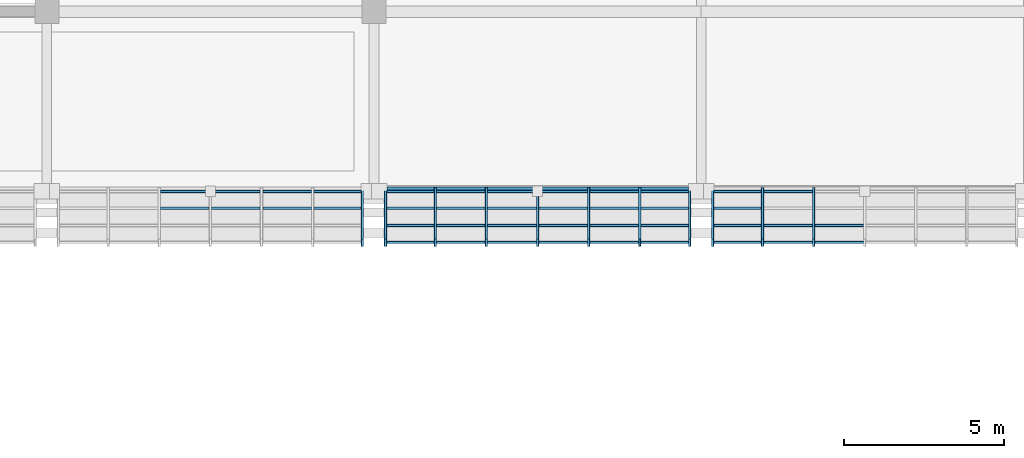
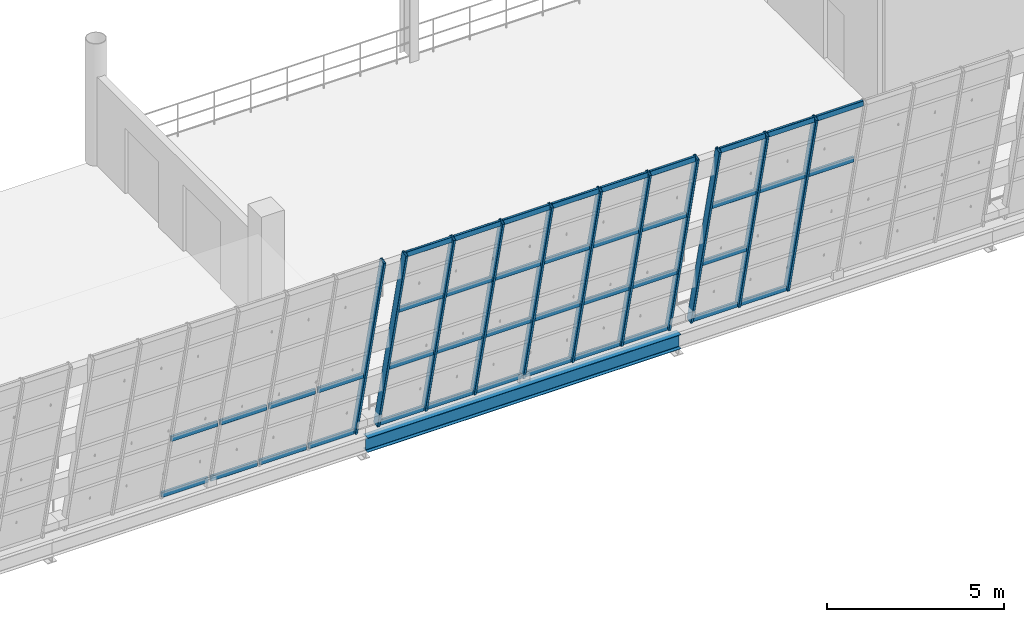
# One storey, part 30 of 157: 52 members, 1 beam, 3 elements without a shape of their own.
"""IFC4 building model written with IfcOpenShell, lengths in metres."""

from ifc_helpers import new_model, si_unit, direction, frame, origin, origin_2d, place, context, subcontext, project, spatial, hollow_rectangle, i_section, extrude, material, material_profile, profile_set, type_object, element, aggregate, save


model = new_model("IFC4")

# Units and contexts
model_context = context("Model", 3, precision=1e-05, world=origin(), true_north=direction((0.0, 1.0)))
body_context = subcontext(model_context, "Body", "Model", "MODEL_VIEW")
ifc_project = project(units=[si_unit("LENGTHUNIT", "METRE"), si_unit("AREAUNIT", "SQUARE_METRE"), si_unit("VOLUMEUNIT", "CUBIC_METRE"), si_unit("PLANEANGLEUNIT", "RADIAN"), si_unit("MASSUNIT", "GRAM", prefix="KILO")], contexts=[model_context])

# Site, building, storey
site_placement = place(None, origin())
site = spatial("IfcSite", under=ifc_project, at=site_placement, CompositionType="ELEMENT")
building_placement = place(site_placement, origin())
building = spatial("IfcBuilding", under=site, at=building_placement, Name="Brelvane Convention Centre", CompositionType="ELEMENT")
storey_placement = place(building_placement, frame((0.0, 0.0, 10.800048828125)))
storey = spatial("IfcBuildingStorey", under=building, at=storey_placement, Name="L02", CompositionType="ELEMENT", Elevation=10.800048828125)

# Curtain wall, member
ifc_material_1 = material(Name="Anodised Aluminium Alloy 6063-T6", Category="aluminium")
curtain_wall_type = type_object("IfcCurtainWallType", Name="Curtain Wall CW-HULL-S", PredefinedType="USERDEFINED", material=ifc_material_1)
curtain_wall_1_placement = place(storey_placement, origin())
curtain_wall_1 = element("IfcCurtainWall", 1, at=curtain_wall_1_placement, inside=storey, type_object=curtain_wall_type, Name="Curtain Wall CW-HULL-S L02-HULL-S-L02-10", ObjectType="UNITISED", PredefinedType="USERDEFINED")
ifc_material_2 = material(Name="Anodised Aluminium Alloy 6063-T6", Category="aluminium")
ifc_material_profile_1 = material_profile(ifc_material_2, hollow_rectangle(XDim=0.080078125, YDim=0.239990234375, WallThickness=0.006103515625, InnerFilletRadius=0.006103515625, OuterFilletRadius=0.011962890625, at=origin_2d()), Name="ALU-M 240x80x6.0")
ifc_profile_set_1 = profile_set([ifc_material_profile_1], Name="Anodised Aluminium Alloy 6063-T6")
member_type_1 = type_object("IfcMemberType", Name="Curtain Mullion CW-M1", PredefinedType="MULLION", material=ifc_profile_set_1)
member_1_placement = place(storey_placement, frame((101.639892578125, 13.60009765625, 0.0), z_axis=(0.0, -0.228360410362, 0.973576665178), x_axis=(1.0, 0.0, 0.0)))
member_1 = element("IfcMember", 2, at=member_1_placement, type_object=member_type_1, Name="CW-HULL-S mullion 7", PredefinedType="MULLION", context=body_context, shape_type="SweptSolid", body=[
    extrude(hollow_rectangle(XDim=0.080078125, YDim=0.239990234375, WallThickness=0.006103515625, InnerFilletRadius=0.006103515625, OuterFilletRadius=0.011962890625, at=origin_2d()), origin(), (0.0, 0.0, 1.0), 7.03564453125),
])

# Curtain wall, members
curtain_wall_2_placement = place(storey_placement, origin())
curtain_wall_2 = element("IfcCurtainWall", 3, at=curtain_wall_2_placement, inside=storey, type_object=curtain_wall_type, Name="Curtain Wall CW-HULL-S L02-HULL-S-L02-11", ObjectType="UNITISED", PredefinedType="USERDEFINED")
member_2_placement = place(storey_placement, frame((102.360107421875, 13.60009765625, 0.0), z_axis=(0.0, -0.228360410362, 0.973576665178), x_axis=(1.0, 0.0, 0.0)))
member_2 = element("IfcMember", 4, at=member_2_placement, type_object=member_type_1, Name="CW-HULL-S mullion 1", PredefinedType="MULLION", context=body_context, shape_type="SweptSolid", body=[
    extrude(hollow_rectangle(XDim=0.080078125, YDim=0.239990234375, WallThickness=0.006103515625, InnerFilletRadius=0.006103515625, OuterFilletRadius=0.011962890625, at=origin_2d()), origin(), (0.0, 0.0, 1.0), 7.03564453125),
])
member_3_placement = place(storey_placement, frame((103.913330078125, 13.60009765625, 0.0), z_axis=(0.0, -0.228360410362, 0.973576665178), x_axis=(1.0, 0.0, 0.0)))
member_3 = element("IfcMember", 5, at=member_3_placement, type_object=member_type_1, Name="CW-HULL-S mullion 2", PredefinedType="MULLION", context=body_context, shape_type="SweptSolid", body=[
    extrude(hollow_rectangle(XDim=0.080078125, YDim=0.239990234375, WallThickness=0.006103515625, InnerFilletRadius=0.006103515625, OuterFilletRadius=0.011962890625, at=origin_2d()), origin(), (0.0, 0.0, 1.0), 7.03564453125),
])
member_4_placement = place(storey_placement, frame((105.506591796875, 13.60009765625, 0.0), z_axis=(0.0, -0.228360410362, 0.973576665178), x_axis=(1.0, 0.0, 0.0)))
member_4 = element("IfcMember", 6, at=member_4_placement, type_object=member_type_1, Name="CW-HULL-S mullion 3", PredefinedType="MULLION", context=body_context, shape_type="SweptSolid", body=[
    extrude(hollow_rectangle(XDim=0.080078125, YDim=0.239990234375, WallThickness=0.006103515625, InnerFilletRadius=0.006103515625, OuterFilletRadius=0.011962890625, at=origin_2d()), origin(), (0.0, 0.0, 1.0), 7.03564453125),
])
member_5_placement = place(storey_placement, frame((107.10009765625, 13.60009765625, 0.0), z_axis=(0.0, -0.228360410362, 0.973576665178), x_axis=(1.0, 0.0, 0.0)))
member_5 = element("IfcMember", 7, at=member_5_placement, type_object=member_type_1, Name="CW-HULL-S mullion 4", PredefinedType="MULLION", context=body_context, shape_type="SweptSolid", body=[
    extrude(hollow_rectangle(XDim=0.080078125, YDim=0.239990234375, WallThickness=0.006103515625, InnerFilletRadius=0.006103515625, OuterFilletRadius=0.011962890625, at=origin_2d()), origin(), (0.0, 0.0, 1.0), 7.03564453125),
])
member_6_placement = place(storey_placement, frame((108.693359375, 13.60009765625, 0.0), z_axis=(0.0, -0.228360410362, 0.973576665178), x_axis=(1.0, 0.0, 0.0)))
member_6 = element("IfcMember", 8, at=member_6_placement, type_object=member_type_1, Name="CW-HULL-S mullion 5", PredefinedType="MULLION", context=body_context, shape_type="SweptSolid", body=[
    extrude(hollow_rectangle(XDim=0.080078125, YDim=0.239990234375, WallThickness=0.006103515625, InnerFilletRadius=0.006103515625, OuterFilletRadius=0.011962890625, at=origin_2d()), origin(), (0.0, 0.0, 1.0), 7.03564453125),
])
member_7_placement = place(storey_placement, frame((110.28662109375, 13.60009765625, 0.0), z_axis=(0.0, -0.228360410362, 0.973576665178), x_axis=(1.0, 0.0, 0.0)))
member_7 = element("IfcMember", 9, at=member_7_placement, type_object=member_type_1, Name="CW-HULL-S mullion 6", PredefinedType="MULLION", context=body_context, shape_type="SweptSolid", body=[
    extrude(hollow_rectangle(XDim=0.080078125, YDim=0.239990234375, WallThickness=0.006103515625, InnerFilletRadius=0.006103515625, OuterFilletRadius=0.011962890625, at=origin_2d()), origin(), (0.0, 0.0, 1.0), 7.03564453125),
])
member_8_placement = place(storey_placement, frame((111.840087890625, 13.60009765625, 0.0), z_axis=(0.0, -0.228360410362, 0.973576665178), x_axis=(1.0, 0.0, 0.0)))
member_8 = element("IfcMember", 10, at=member_8_placement, type_object=member_type_1, Name="CW-HULL-S mullion 7", PredefinedType="MULLION", context=body_context, shape_type="SweptSolid", body=[
    extrude(hollow_rectangle(XDim=0.080078125, YDim=0.239990234375, WallThickness=0.006103515625, InnerFilletRadius=0.006103515625, OuterFilletRadius=0.011962890625, at=origin_2d()), origin(), (0.0, 0.0, 1.0), 7.03564453125),
])

curtain_wall_3_placement = place(storey_placement, origin())
curtain_wall_3 = element("IfcCurtainWall", 11, at=curtain_wall_3_placement, inside=storey, type_object=curtain_wall_type, Name="Curtain Wall CW-HULL-S L02-HULL-S-L02-12", ObjectType="UNITISED", PredefinedType="USERDEFINED")
member_9_placement = place(storey_placement, frame((112.56005859375, 13.60009765625, 0.0), z_axis=(0.0, -0.228360410362, 0.973576665178), x_axis=(1.0, 0.0, 0.0)))
member_9 = element("IfcMember", 12, at=member_9_placement, type_object=member_type_1, Name="CW-HULL-S mullion 1", PredefinedType="MULLION", context=body_context, shape_type="SweptSolid", body=[
    extrude(hollow_rectangle(XDim=0.080078125, YDim=0.239990234375, WallThickness=0.006103515625, InnerFilletRadius=0.006103515625, OuterFilletRadius=0.011962890625, at=origin_2d()), origin(), (0.0, 0.0, 1.0), 7.03564453125),
])
member_10_placement = place(storey_placement, frame((114.11328125, 13.60009765625, 0.0), z_axis=(0.0, -0.228360410362, 0.973576665178), x_axis=(1.0, 0.0, 0.0)))
member_10 = element("IfcMember", 13, at=member_10_placement, type_object=member_type_1, Name="CW-HULL-S mullion 2", PredefinedType="MULLION", context=body_context, shape_type="SweptSolid", body=[
    extrude(hollow_rectangle(XDim=0.080078125, YDim=0.239990234375, WallThickness=0.006103515625, InnerFilletRadius=0.006103515625, OuterFilletRadius=0.011962890625, at=origin_2d()), origin(), (0.0, 0.0, 1.0), 7.03564453125),
])
member_11_placement = place(storey_placement, frame((115.706787109375, 13.60009765625, 0.0), z_axis=(0.0, -0.228360410362, 0.973576665178), x_axis=(1.0, 0.0, 0.0)))
member_11 = element("IfcMember", 14, at=member_11_placement, type_object=member_type_1, Name="CW-HULL-S mullion 3", PredefinedType="MULLION", context=body_context, shape_type="SweptSolid", body=[
    extrude(hollow_rectangle(XDim=0.080078125, YDim=0.239990234375, WallThickness=0.006103515625, InnerFilletRadius=0.006103515625, OuterFilletRadius=0.011962890625, at=origin_2d()), origin(), (0.0, 0.0, 1.0), 7.03564453125),
])

# Member
ifc_material_3 = material(Name="Anodised Aluminium Alloy 6063-T6", Category="aluminium")
ifc_material_profile_2 = material_profile(ifc_material_3, hollow_rectangle(XDim=0.080078125, YDim=0.179931640625, WallThickness=0.0048828125, InnerFilletRadius=0.0048828125, OuterFilletRadius=0.010009765625, at=origin_2d()), Name="ALU-T 180x80x5.0")
ifc_profile_set_2 = profile_set([ifc_material_profile_2], Name="Anodised Aluminium Alloy 6063-T6")
member_type_2 = type_object("IfcMemberType", Name="Curtain Transom CW-T1", PredefinedType="USERDEFINED", material=ifc_profile_set_2)
member_12_placement = place(storey_placement, frame((95.3466796875, 13.590576171875, 0.0400390625), z_axis=(1.0, 0.0, 0.0), x_axis=(0.0, 1.0, 0.0)))
member_12 = element("IfcMember", 15, at=member_12_placement, type_object=member_type_2, Name="CW-HULL-S transom 3.1", ObjectType="TRANSOM", PredefinedType="USERDEFINED", context=body_context, shape_type="SweptSolid", body=[
    extrude(hollow_rectangle(XDim=0.080078125, YDim=0.179931640625, WallThickness=0.0048828125, InnerFilletRadius=0.0048828125, OuterFilletRadius=0.010009765625, at=origin_2d()), origin(), (0.0, 0.0, 1.0), 1.513427734375),
])

member_13_placement = place(storey_placement, frame((95.3466796875, 13.064453125, 2.283203125), z_axis=(1.0, 0.0, 0.0), x_axis=(0.0, 1.0, 0.0)))
member_13 = element("IfcMember", 16, at=member_13_placement, type_object=member_type_2, Name="CW-HULL-S transom 3.2", ObjectType="TRANSOM", PredefinedType="USERDEFINED", context=body_context, shape_type="SweptSolid", body=[
    extrude(hollow_rectangle(XDim=0.080078125, YDim=0.179931640625, WallThickness=0.0048828125, InnerFilletRadius=0.0048828125, OuterFilletRadius=0.010009765625, at=origin_2d()), origin(), (0.0, 0.0, 1.0), 1.513427734375),
])

member_14_placement = place(storey_placement, frame((96.93994140625, 13.590576171875, 0.0400390625), z_axis=(1.0, 0.0, 0.0), x_axis=(0.0, 1.0, 0.0)))
member_14 = element("IfcMember", 17, at=member_14_placement, type_object=member_type_2, Name="CW-HULL-S transom 4.1", ObjectType="TRANSOM", PredefinedType="USERDEFINED", context=body_context, shape_type="SweptSolid", body=[
    extrude(hollow_rectangle(XDim=0.080078125, YDim=0.179931640625, WallThickness=0.0048828125, InnerFilletRadius=0.0048828125, OuterFilletRadius=0.010009765625, at=origin_2d()), origin(), (0.0, 0.0, 1.0), 1.513427734375),
])

member_15_placement = place(storey_placement, frame((96.93994140625, 13.064453125, 2.283203125), z_axis=(1.0, 0.0, 0.0), x_axis=(0.0, 1.0, 0.0)))
member_15 = element("IfcMember", 18, at=member_15_placement, type_object=member_type_2, Name="CW-HULL-S transom 4.2", ObjectType="TRANSOM", PredefinedType="USERDEFINED", context=body_context, shape_type="SweptSolid", body=[
    extrude(hollow_rectangle(XDim=0.080078125, YDim=0.179931640625, WallThickness=0.0048828125, InnerFilletRadius=0.0048828125, OuterFilletRadius=0.010009765625, at=origin_2d()), origin(), (0.0, 0.0, 1.0), 1.513427734375),
])

member_16_placement = place(storey_placement, frame((98.533447265625, 13.590576171875, 0.0400390625), z_axis=(1.0, 0.0, 0.0), x_axis=(0.0, 1.0, 0.0)))
member_16 = element("IfcMember", 19, at=member_16_placement, type_object=member_type_2, Name="CW-HULL-S transom 5.1", ObjectType="TRANSOM", PredefinedType="USERDEFINED", context=body_context, shape_type="SweptSolid", body=[
    extrude(hollow_rectangle(XDim=0.080078125, YDim=0.179931640625, WallThickness=0.0048828125, InnerFilletRadius=0.0048828125, OuterFilletRadius=0.010009765625, at=origin_2d()), origin(), (0.0, 0.0, 1.0), 1.51318359375),
])

member_17_placement = place(storey_placement, frame((98.533447265625, 13.064453125, 2.283203125), z_axis=(1.0, 0.0, 0.0), x_axis=(0.0, 1.0, 0.0)))
member_17 = element("IfcMember", 20, at=member_17_placement, type_object=member_type_2, Name="CW-HULL-S transom 5.2", ObjectType="TRANSOM", PredefinedType="USERDEFINED", context=body_context, shape_type="SweptSolid", body=[
    extrude(hollow_rectangle(XDim=0.080078125, YDim=0.179931640625, WallThickness=0.0048828125, InnerFilletRadius=0.0048828125, OuterFilletRadius=0.010009765625, at=origin_2d()), origin(), (0.0, 0.0, 1.0), 1.51318359375),
])

member_18_placement = place(storey_placement, frame((100.126708984375, 13.590576171875, 0.0400390625), z_axis=(1.0, 0.0, 0.0), x_axis=(0.0, 1.0, 0.0)))
member_18 = element("IfcMember", 21, at=member_18_placement, type_object=member_type_2, Name="CW-HULL-S transom 6.1", ObjectType="TRANSOM", PredefinedType="USERDEFINED", context=body_context, shape_type="SweptSolid", body=[
    extrude(hollow_rectangle(XDim=0.080078125, YDim=0.179931640625, WallThickness=0.0048828125, InnerFilletRadius=0.0048828125, OuterFilletRadius=0.010009765625, at=origin_2d()), origin(), (0.0, 0.0, 1.0), 1.473388671875),
])

member_19_placement = place(storey_placement, frame((100.126708984375, 13.064453125, 2.283203125), z_axis=(1.0, 0.0, 0.0), x_axis=(0.0, 1.0, 0.0)))
member_19 = element("IfcMember", 22, at=member_19_placement, type_object=member_type_2, Name="CW-HULL-S transom 6.2", ObjectType="TRANSOM", PredefinedType="USERDEFINED", context=body_context, shape_type="SweptSolid", body=[
    extrude(hollow_rectangle(XDim=0.080078125, YDim=0.179931640625, WallThickness=0.0048828125, InnerFilletRadius=0.0048828125, OuterFilletRadius=0.010009765625, at=origin_2d()), origin(), (0.0, 0.0, 1.0), 1.473388671875),
])

aggregate(curtain_wall_1, [member_1, member_12, member_13, member_14, member_15, member_16, member_17, member_18, member_19])

member_20_placement = place(storey_placement, frame((102.39990234375, 13.590576171875, 0.0400390625), z_axis=(1.0, 0.0, 0.0), x_axis=(0.0, 1.0, 0.0)))
member_20 = element("IfcMember", 23, at=member_20_placement, type_object=member_type_2, Name="CW-HULL-S transom 1.1", ObjectType="TRANSOM", PredefinedType="USERDEFINED", context=body_context, shape_type="SweptSolid", body=[
    extrude(hollow_rectangle(XDim=0.080078125, YDim=0.179931640625, WallThickness=0.0048828125, InnerFilletRadius=0.0048828125, OuterFilletRadius=0.010009765625, at=origin_2d()), origin(), (0.0, 0.0, 1.0), 1.473388671875),
])

member_21_placement = place(storey_placement, frame((102.39990234375, 13.064453125, 2.283203125), z_axis=(1.0, 0.0, 0.0), x_axis=(0.0, 1.0, 0.0)))
member_21 = element("IfcMember", 24, at=member_21_placement, type_object=member_type_2, Name="CW-HULL-S transom 1.2", ObjectType="TRANSOM", PredefinedType="USERDEFINED", context=body_context, shape_type="SweptSolid", body=[
    extrude(hollow_rectangle(XDim=0.080078125, YDim=0.179931640625, WallThickness=0.0048828125, InnerFilletRadius=0.0048828125, OuterFilletRadius=0.010009765625, at=origin_2d()), origin(), (0.0, 0.0, 1.0), 1.473388671875),
])

member_22_placement = place(storey_placement, frame((102.39990234375, 12.52880859375, 4.566650390625), z_axis=(1.0, 0.0, 0.0), x_axis=(0.0, 1.0, 0.0)))
member_22 = element("IfcMember", 25, at=member_22_placement, type_object=member_type_2, Name="CW-HULL-S transom 1.3", ObjectType="TRANSOM", PredefinedType="USERDEFINED", context=body_context, shape_type="SweptSolid", body=[
    extrude(hollow_rectangle(XDim=0.080078125, YDim=0.179931640625, WallThickness=0.0048828125, InnerFilletRadius=0.0048828125, OuterFilletRadius=0.010009765625, at=origin_2d()), origin(), (0.0, 0.0, 1.0), 1.473388671875),
])

member_23_placement = place(storey_placement, frame((102.39990234375, 12.002685546875, 6.81005859375), z_axis=(1.0, 0.0, 0.0), x_axis=(0.0, 1.0, 0.0)))
member_23 = element("IfcMember", 26, at=member_23_placement, type_object=member_type_2, Name="CW-HULL-S transom 1.4", ObjectType="TRANSOM", PredefinedType="USERDEFINED", context=body_context, shape_type="SweptSolid", body=[
    extrude(hollow_rectangle(XDim=0.080078125, YDim=0.179931640625, WallThickness=0.0048828125, InnerFilletRadius=0.0048828125, OuterFilletRadius=0.010009765625, at=origin_2d()), origin(), (0.0, 0.0, 1.0), 1.473388671875),
])

member_24_placement = place(storey_placement, frame((103.953369140625, 13.590576171875, 0.0400390625), z_axis=(1.0, 0.0, 0.0), x_axis=(0.0, 1.0, 0.0)))
member_24 = element("IfcMember", 27, at=member_24_placement, type_object=member_type_2, Name="CW-HULL-S transom 2.1", ObjectType="TRANSOM", PredefinedType="USERDEFINED", context=body_context, shape_type="SweptSolid", body=[
    extrude(hollow_rectangle(XDim=0.080078125, YDim=0.179931640625, WallThickness=0.0048828125, InnerFilletRadius=0.0048828125, OuterFilletRadius=0.010009765625, at=origin_2d()), origin(), (0.0, 0.0, 1.0), 1.51318359375),
])

member_25_placement = place(storey_placement, frame((103.953369140625, 13.064453125, 2.283203125), z_axis=(1.0, 0.0, 0.0), x_axis=(0.0, 1.0, 0.0)))
member_25 = element("IfcMember", 28, at=member_25_placement, type_object=member_type_2, Name="CW-HULL-S transom 2.2", ObjectType="TRANSOM", PredefinedType="USERDEFINED", context=body_context, shape_type="SweptSolid", body=[
    extrude(hollow_rectangle(XDim=0.080078125, YDim=0.179931640625, WallThickness=0.0048828125, InnerFilletRadius=0.0048828125, OuterFilletRadius=0.010009765625, at=origin_2d()), origin(), (0.0, 0.0, 1.0), 1.51318359375),
])

member_26_placement = place(storey_placement, frame((103.953369140625, 12.52880859375, 4.566650390625), z_axis=(1.0, 0.0, 0.0), x_axis=(0.0, 1.0, 0.0)))
member_26 = element("IfcMember", 29, at=member_26_placement, type_object=member_type_2, Name="CW-HULL-S transom 2.3", ObjectType="TRANSOM", PredefinedType="USERDEFINED", context=body_context, shape_type="SweptSolid", body=[
    extrude(hollow_rectangle(XDim=0.080078125, YDim=0.179931640625, WallThickness=0.0048828125, InnerFilletRadius=0.0048828125, OuterFilletRadius=0.010009765625, at=origin_2d()), origin(), (0.0, 0.0, 1.0), 1.51318359375),
])

member_27_placement = place(storey_placement, frame((103.953369140625, 12.002685546875, 6.81005859375), z_axis=(1.0, 0.0, 0.0), x_axis=(0.0, 1.0, 0.0)))
member_27 = element("IfcMember", 30, at=member_27_placement, type_object=member_type_2, Name="CW-HULL-S transom 2.4", ObjectType="TRANSOM", PredefinedType="USERDEFINED", context=body_context, shape_type="SweptSolid", body=[
    extrude(hollow_rectangle(XDim=0.080078125, YDim=0.179931640625, WallThickness=0.0048828125, InnerFilletRadius=0.0048828125, OuterFilletRadius=0.010009765625, at=origin_2d()), origin(), (0.0, 0.0, 1.0), 1.51318359375),
])

member_28_placement = place(storey_placement, frame((105.546630859375, 13.590576171875, 0.0400390625), z_axis=(1.0, 0.0, 0.0), x_axis=(0.0, 1.0, 0.0)))
member_28 = element("IfcMember", 31, at=member_28_placement, type_object=member_type_2, Name="CW-HULL-S transom 3.1", ObjectType="TRANSOM", PredefinedType="USERDEFINED", context=body_context, shape_type="SweptSolid", body=[
    extrude(hollow_rectangle(XDim=0.080078125, YDim=0.179931640625, WallThickness=0.0048828125, InnerFilletRadius=0.0048828125, OuterFilletRadius=0.010009765625, at=origin_2d()), origin(), (0.0, 0.0, 1.0), 1.513427734375),
])

member_29_placement = place(storey_placement, frame((105.546630859375, 13.064453125, 2.283203125), z_axis=(1.0, 0.0, 0.0), x_axis=(0.0, 1.0, 0.0)))
member_29 = element("IfcMember", 32, at=member_29_placement, type_object=member_type_2, Name="CW-HULL-S transom 3.2", ObjectType="TRANSOM", PredefinedType="USERDEFINED", context=body_context, shape_type="SweptSolid", body=[
    extrude(hollow_rectangle(XDim=0.080078125, YDim=0.179931640625, WallThickness=0.0048828125, InnerFilletRadius=0.0048828125, OuterFilletRadius=0.010009765625, at=origin_2d()), origin(), (0.0, 0.0, 1.0), 1.513427734375),
])

member_30_placement = place(storey_placement, frame((105.546630859375, 12.52880859375, 4.566650390625), z_axis=(1.0, 0.0, 0.0), x_axis=(0.0, 1.0, 0.0)))
member_30 = element("IfcMember", 33, at=member_30_placement, type_object=member_type_2, Name="CW-HULL-S transom 3.3", ObjectType="TRANSOM", PredefinedType="USERDEFINED", context=body_context, shape_type="SweptSolid", body=[
    extrude(hollow_rectangle(XDim=0.080078125, YDim=0.179931640625, WallThickness=0.0048828125, InnerFilletRadius=0.0048828125, OuterFilletRadius=0.010009765625, at=origin_2d()), origin(), (0.0, 0.0, 1.0), 1.513427734375),
])

member_31_placement = place(storey_placement, frame((105.546630859375, 12.002685546875, 6.81005859375), z_axis=(1.0, 0.0, 0.0), x_axis=(0.0, 1.0, 0.0)))
member_31 = element("IfcMember", 34, at=member_31_placement, type_object=member_type_2, Name="CW-HULL-S transom 3.4", ObjectType="TRANSOM", PredefinedType="USERDEFINED", context=body_context, shape_type="SweptSolid", body=[
    extrude(hollow_rectangle(XDim=0.080078125, YDim=0.179931640625, WallThickness=0.0048828125, InnerFilletRadius=0.0048828125, OuterFilletRadius=0.010009765625, at=origin_2d()), origin(), (0.0, 0.0, 1.0), 1.513427734375),
])

member_32_placement = place(storey_placement, frame((107.139892578125, 13.590576171875, 0.0400390625), z_axis=(1.0, 0.0, 0.0), x_axis=(0.0, 1.0, 0.0)))
member_32 = element("IfcMember", 35, at=member_32_placement, type_object=member_type_2, Name="CW-HULL-S transom 4.1", ObjectType="TRANSOM", PredefinedType="USERDEFINED", context=body_context, shape_type="SweptSolid", body=[
    extrude(hollow_rectangle(XDim=0.080078125, YDim=0.179931640625, WallThickness=0.0048828125, InnerFilletRadius=0.0048828125, OuterFilletRadius=0.010009765625, at=origin_2d()), origin(), (0.0, 0.0, 1.0), 1.513427734375),
])

member_33_placement = place(storey_placement, frame((107.139892578125, 13.064453125, 2.283203125), z_axis=(1.0, 0.0, 0.0), x_axis=(0.0, 1.0, 0.0)))
member_33 = element("IfcMember", 36, at=member_33_placement, type_object=member_type_2, Name="CW-HULL-S transom 4.2", ObjectType="TRANSOM", PredefinedType="USERDEFINED", context=body_context, shape_type="SweptSolid", body=[
    extrude(hollow_rectangle(XDim=0.080078125, YDim=0.179931640625, WallThickness=0.0048828125, InnerFilletRadius=0.0048828125, OuterFilletRadius=0.010009765625, at=origin_2d()), origin(), (0.0, 0.0, 1.0), 1.513427734375),
])

member_34_placement = place(storey_placement, frame((107.139892578125, 12.52880859375, 4.566650390625), z_axis=(1.0, 0.0, 0.0), x_axis=(0.0, 1.0, 0.0)))
member_34 = element("IfcMember", 37, at=member_34_placement, type_object=member_type_2, Name="CW-HULL-S transom 4.3", ObjectType="TRANSOM", PredefinedType="USERDEFINED", context=body_context, shape_type="SweptSolid", body=[
    extrude(hollow_rectangle(XDim=0.080078125, YDim=0.179931640625, WallThickness=0.0048828125, InnerFilletRadius=0.0048828125, OuterFilletRadius=0.010009765625, at=origin_2d()), origin(), (0.0, 0.0, 1.0), 1.513427734375),
])

member_35_placement = place(storey_placement, frame((107.139892578125, 12.002685546875, 6.81005859375), z_axis=(1.0, 0.0, 0.0), x_axis=(0.0, 1.0, 0.0)))
member_35 = element("IfcMember", 38, at=member_35_placement, type_object=member_type_2, Name="CW-HULL-S transom 4.4", ObjectType="TRANSOM", PredefinedType="USERDEFINED", context=body_context, shape_type="SweptSolid", body=[
    extrude(hollow_rectangle(XDim=0.080078125, YDim=0.179931640625, WallThickness=0.0048828125, InnerFilletRadius=0.0048828125, OuterFilletRadius=0.010009765625, at=origin_2d()), origin(), (0.0, 0.0, 1.0), 1.513427734375),
])

member_36_placement = place(storey_placement, frame((108.7333984375, 13.590576171875, 0.0400390625), z_axis=(1.0, 0.0, 0.0), x_axis=(0.0, 1.0, 0.0)))
member_36 = element("IfcMember", 39, at=member_36_placement, type_object=member_type_2, Name="CW-HULL-S transom 5.1", ObjectType="TRANSOM", PredefinedType="USERDEFINED", context=body_context, shape_type="SweptSolid", body=[
    extrude(hollow_rectangle(XDim=0.080078125, YDim=0.179931640625, WallThickness=0.0048828125, InnerFilletRadius=0.0048828125, OuterFilletRadius=0.010009765625, at=origin_2d()), origin(), (0.0, 0.0, 1.0), 1.51318359375),
])

member_37_placement = place(storey_placement, frame((108.7333984375, 13.064453125, 2.283203125), z_axis=(1.0, 0.0, 0.0), x_axis=(0.0, 1.0, 0.0)))
member_37 = element("IfcMember", 40, at=member_37_placement, type_object=member_type_2, Name="CW-HULL-S transom 5.2", ObjectType="TRANSOM", PredefinedType="USERDEFINED", context=body_context, shape_type="SweptSolid", body=[
    extrude(hollow_rectangle(XDim=0.080078125, YDim=0.179931640625, WallThickness=0.0048828125, InnerFilletRadius=0.0048828125, OuterFilletRadius=0.010009765625, at=origin_2d()), origin(), (0.0, 0.0, 1.0), 1.51318359375),
])

member_38_placement = place(storey_placement, frame((108.7333984375, 12.52880859375, 4.566650390625), z_axis=(1.0, 0.0, 0.0), x_axis=(0.0, 1.0, 0.0)))
member_38 = element("IfcMember", 41, at=member_38_placement, type_object=member_type_2, Name="CW-HULL-S transom 5.3", ObjectType="TRANSOM", PredefinedType="USERDEFINED", context=body_context, shape_type="SweptSolid", body=[
    extrude(hollow_rectangle(XDim=0.080078125, YDim=0.179931640625, WallThickness=0.0048828125, InnerFilletRadius=0.0048828125, OuterFilletRadius=0.010009765625, at=origin_2d()), origin(), (0.0, 0.0, 1.0), 1.51318359375),
])

member_39_placement = place(storey_placement, frame((108.7333984375, 12.002685546875, 6.81005859375), z_axis=(1.0, 0.0, 0.0), x_axis=(0.0, 1.0, 0.0)))
member_39 = element("IfcMember", 42, at=member_39_placement, type_object=member_type_2, Name="CW-HULL-S transom 5.4", ObjectType="TRANSOM", PredefinedType="USERDEFINED", context=body_context, shape_type="SweptSolid", body=[
    extrude(hollow_rectangle(XDim=0.080078125, YDim=0.179931640625, WallThickness=0.0048828125, InnerFilletRadius=0.0048828125, OuterFilletRadius=0.010009765625, at=origin_2d()), origin(), (0.0, 0.0, 1.0), 1.51318359375),
])

member_40_placement = place(storey_placement, frame((110.32666015625, 13.590576171875, 0.0400390625), z_axis=(1.0, 0.0, 0.0), x_axis=(0.0, 1.0, 0.0)))
member_40 = element("IfcMember", 43, at=member_40_placement, type_object=member_type_2, Name="CW-HULL-S transom 6.1", ObjectType="TRANSOM", PredefinedType="USERDEFINED", context=body_context, shape_type="SweptSolid", body=[
    extrude(hollow_rectangle(XDim=0.080078125, YDim=0.179931640625, WallThickness=0.0048828125, InnerFilletRadius=0.0048828125, OuterFilletRadius=0.010009765625, at=origin_2d()), origin(), (0.0, 0.0, 1.0), 1.473388671875),
])

member_41_placement = place(storey_placement, frame((110.32666015625, 13.064453125, 2.283203125), z_axis=(1.0, 0.0, 0.0), x_axis=(0.0, 1.0, 0.0)))
member_41 = element("IfcMember", 44, at=member_41_placement, type_object=member_type_2, Name="CW-HULL-S transom 6.2", ObjectType="TRANSOM", PredefinedType="USERDEFINED", context=body_context, shape_type="SweptSolid", body=[
    extrude(hollow_rectangle(XDim=0.080078125, YDim=0.179931640625, WallThickness=0.0048828125, InnerFilletRadius=0.0048828125, OuterFilletRadius=0.010009765625, at=origin_2d()), origin(), (0.0, 0.0, 1.0), 1.473388671875),
])

member_42_placement = place(storey_placement, frame((110.32666015625, 12.52880859375, 4.566650390625), z_axis=(1.0, 0.0, 0.0), x_axis=(0.0, 1.0, 0.0)))
member_42 = element("IfcMember", 45, at=member_42_placement, type_object=member_type_2, Name="CW-HULL-S transom 6.3", ObjectType="TRANSOM", PredefinedType="USERDEFINED", context=body_context, shape_type="SweptSolid", body=[
    extrude(hollow_rectangle(XDim=0.080078125, YDim=0.179931640625, WallThickness=0.0048828125, InnerFilletRadius=0.0048828125, OuterFilletRadius=0.010009765625, at=origin_2d()), origin(), (0.0, 0.0, 1.0), 1.473388671875),
])

member_43_placement = place(storey_placement, frame((110.32666015625, 12.002685546875, 6.81005859375), z_axis=(1.0, 0.0, 0.0), x_axis=(0.0, 1.0, 0.0)))
member_43 = element("IfcMember", 46, at=member_43_placement, type_object=member_type_2, Name="CW-HULL-S transom 6.4", ObjectType="TRANSOM", PredefinedType="USERDEFINED", context=body_context, shape_type="SweptSolid", body=[
    extrude(hollow_rectangle(XDim=0.080078125, YDim=0.179931640625, WallThickness=0.0048828125, InnerFilletRadius=0.0048828125, OuterFilletRadius=0.010009765625, at=origin_2d()), origin(), (0.0, 0.0, 1.0), 1.473388671875),
])

aggregate(curtain_wall_2, [member_2, member_3, member_4, member_5, member_6, member_7, member_8, member_20, member_21, member_22, member_23, member_24, member_25, member_26, member_27, member_28, member_29, member_30, member_31, member_32, member_33, member_34, member_35, member_36, member_37, member_38, member_39, member_40, member_41, member_42, member_43])

member_44_placement = place(storey_placement, frame((112.60009765625, 13.590576171875, 0.0400390625), z_axis=(1.0, 0.0, 0.0), x_axis=(0.0, 1.0, 0.0)))
member_44 = element("IfcMember", 47, at=member_44_placement, type_object=member_type_2, Name="CW-HULL-S transom 1.1", ObjectType="TRANSOM", PredefinedType="USERDEFINED", context=body_context, shape_type="SweptSolid", body=[
    extrude(hollow_rectangle(XDim=0.080078125, YDim=0.179931640625, WallThickness=0.0048828125, InnerFilletRadius=0.0048828125, OuterFilletRadius=0.010009765625, at=origin_2d()), origin(), (0.0, 0.0, 1.0), 1.47314453125),
])

member_45_placement = place(storey_placement, frame((112.60009765625, 13.064453125, 2.283203125), z_axis=(1.0, 0.0, 0.0), x_axis=(0.0, 1.0, 0.0)))
member_45 = element("IfcMember", 48, at=member_45_placement, type_object=member_type_2, Name="CW-HULL-S transom 1.2", ObjectType="TRANSOM", PredefinedType="USERDEFINED", context=body_context, shape_type="SweptSolid", body=[
    extrude(hollow_rectangle(XDim=0.080078125, YDim=0.179931640625, WallThickness=0.0048828125, InnerFilletRadius=0.0048828125, OuterFilletRadius=0.010009765625, at=origin_2d()), origin(), (0.0, 0.0, 1.0), 1.47314453125),
])

member_46_placement = place(storey_placement, frame((112.60009765625, 12.52880859375, 4.566650390625), z_axis=(1.0, 0.0, 0.0), x_axis=(0.0, 1.0, 0.0)))
member_46 = element("IfcMember", 49, at=member_46_placement, type_object=member_type_2, Name="CW-HULL-S transom 1.3", ObjectType="TRANSOM", PredefinedType="USERDEFINED", context=body_context, shape_type="SweptSolid", body=[
    extrude(hollow_rectangle(XDim=0.080078125, YDim=0.179931640625, WallThickness=0.0048828125, InnerFilletRadius=0.0048828125, OuterFilletRadius=0.010009765625, at=origin_2d()), origin(), (0.0, 0.0, 1.0), 1.47314453125),
])

member_47_placement = place(storey_placement, frame((112.60009765625, 12.002685546875, 6.81005859375), z_axis=(1.0, 0.0, 0.0), x_axis=(0.0, 1.0, 0.0)))
member_47 = element("IfcMember", 50, at=member_47_placement, type_object=member_type_2, Name="CW-HULL-S transom 1.4", ObjectType="TRANSOM", PredefinedType="USERDEFINED", context=body_context, shape_type="SweptSolid", body=[
    extrude(hollow_rectangle(XDim=0.080078125, YDim=0.179931640625, WallThickness=0.0048828125, InnerFilletRadius=0.0048828125, OuterFilletRadius=0.010009765625, at=origin_2d()), origin(), (0.0, 0.0, 1.0), 1.47314453125),
])

member_48_placement = place(storey_placement, frame((114.1533203125, 13.590576171875, 0.0400390625), z_axis=(1.0, 0.0, 0.0), x_axis=(0.0, 1.0, 0.0)))
member_48 = element("IfcMember", 51, at=member_48_placement, type_object=member_type_2, Name="CW-HULL-S transom 2.1", ObjectType="TRANSOM", PredefinedType="USERDEFINED", context=body_context, shape_type="SweptSolid", body=[
    extrude(hollow_rectangle(XDim=0.080078125, YDim=0.179931640625, WallThickness=0.0048828125, InnerFilletRadius=0.0048828125, OuterFilletRadius=0.010009765625, at=origin_2d()), origin(), (0.0, 0.0, 1.0), 1.513427734375),
])

member_49_placement = place(storey_placement, frame((114.1533203125, 12.52880859375, 4.566650390625), z_axis=(1.0, 0.0, 0.0), x_axis=(0.0, 1.0, 0.0)))
member_49 = element("IfcMember", 52, at=member_49_placement, type_object=member_type_2, Name="CW-HULL-S transom 2.3", ObjectType="TRANSOM", PredefinedType="USERDEFINED", context=body_context, shape_type="SweptSolid", body=[
    extrude(hollow_rectangle(XDim=0.080078125, YDim=0.179931640625, WallThickness=0.0048828125, InnerFilletRadius=0.0048828125, OuterFilletRadius=0.010009765625, at=origin_2d()), origin(), (0.0, 0.0, 1.0), 1.513427734375),
])

member_50_placement = place(storey_placement, frame((114.1533203125, 12.002685546875, 6.81005859375), z_axis=(1.0, 0.0, 0.0), x_axis=(0.0, 1.0, 0.0)))
member_50 = element("IfcMember", 53, at=member_50_placement, type_object=member_type_2, Name="CW-HULL-S transom 2.4", ObjectType="TRANSOM", PredefinedType="USERDEFINED", context=body_context, shape_type="SweptSolid", body=[
    extrude(hollow_rectangle(XDim=0.080078125, YDim=0.179931640625, WallThickness=0.0048828125, InnerFilletRadius=0.0048828125, OuterFilletRadius=0.010009765625, at=origin_2d()), origin(), (0.0, 0.0, 1.0), 1.513427734375),
])

member_51_placement = place(storey_placement, frame((115.74658203125, 12.52880859375, 4.566650390625), z_axis=(1.0, 0.0, 0.0), x_axis=(0.0, 1.0, 0.0)))
member_51 = element("IfcMember", 54, at=member_51_placement, type_object=member_type_2, Name="CW-HULL-S transom 3.3", ObjectType="TRANSOM", PredefinedType="USERDEFINED", context=body_context, shape_type="SweptSolid", body=[
    extrude(hollow_rectangle(XDim=0.080078125, YDim=0.179931640625, WallThickness=0.0048828125, InnerFilletRadius=0.0048828125, OuterFilletRadius=0.010009765625, at=origin_2d()), origin(), (0.0, 0.0, 1.0), 1.513427734375),
])

member_52_placement = place(storey_placement, frame((115.74658203125, 12.002685546875, 6.81005859375), z_axis=(1.0, 0.0, 0.0), x_axis=(0.0, 1.0, 0.0)))
member_52 = element("IfcMember", 55, at=member_52_placement, type_object=member_type_2, Name="CW-HULL-S transom 3.4", ObjectType="TRANSOM", PredefinedType="USERDEFINED", context=body_context, shape_type="SweptSolid", body=[
    extrude(hollow_rectangle(XDim=0.080078125, YDim=0.179931640625, WallThickness=0.0048828125, InnerFilletRadius=0.0048828125, OuterFilletRadius=0.010009765625, at=origin_2d()), origin(), (0.0, 0.0, 1.0), 1.513427734375),
])

aggregate(curtain_wall_3, [member_9, member_10, member_11, member_44, member_45, member_46, member_47, member_48, member_49, member_50, member_51, member_52])

# Beam
ifc_material_4 = material(Name="Steel E350 (350 MPa)", Category="steel")
ifc_material_profile_3 = material_profile(ifc_material_4, i_section(OverallWidth=0.25, OverallDepth=0.5, WebThickness=0.010009765625, FlangeThickness=0.0146484375, FilletRadius=0.01611328125, at=origin_2d()), Name="ISWB 500")
ifc_profile_set_3 = profile_set([ifc_material_profile_3], Name="Steel E350 (350 MPa)")
beam_type = type_object("IfcBeamType", Name="Steel Spandrel SP-ST1 (ISWB 500)", PredefinedType="SPANDREL", material=ifc_profile_set_3)
beam_placement = place(storey_placement, frame((102.0, 13.60009765625, -0.530029296875), z_axis=(1.0, 0.0, 0.0), x_axis=(0.0, 1.0, 0.0)))
element("IfcBeam", 56, at=beam_placement, inside=storey, type_object=beam_type, Name="L02 Hull Overhang Edge Spandrel 11", PredefinedType="SPANDREL", context=body_context, shape_type="SweptSolid", body=[
    extrude(i_section(OverallWidth=0.25, OverallDepth=0.5, WebThickness=0.010009765625, FlangeThickness=0.0146484375, FilletRadius=0.01611328125, at=origin_2d()), origin(), (0.0, 0.0, 1.0), 10.199951171875),
])

save(model, "model.ifc")
